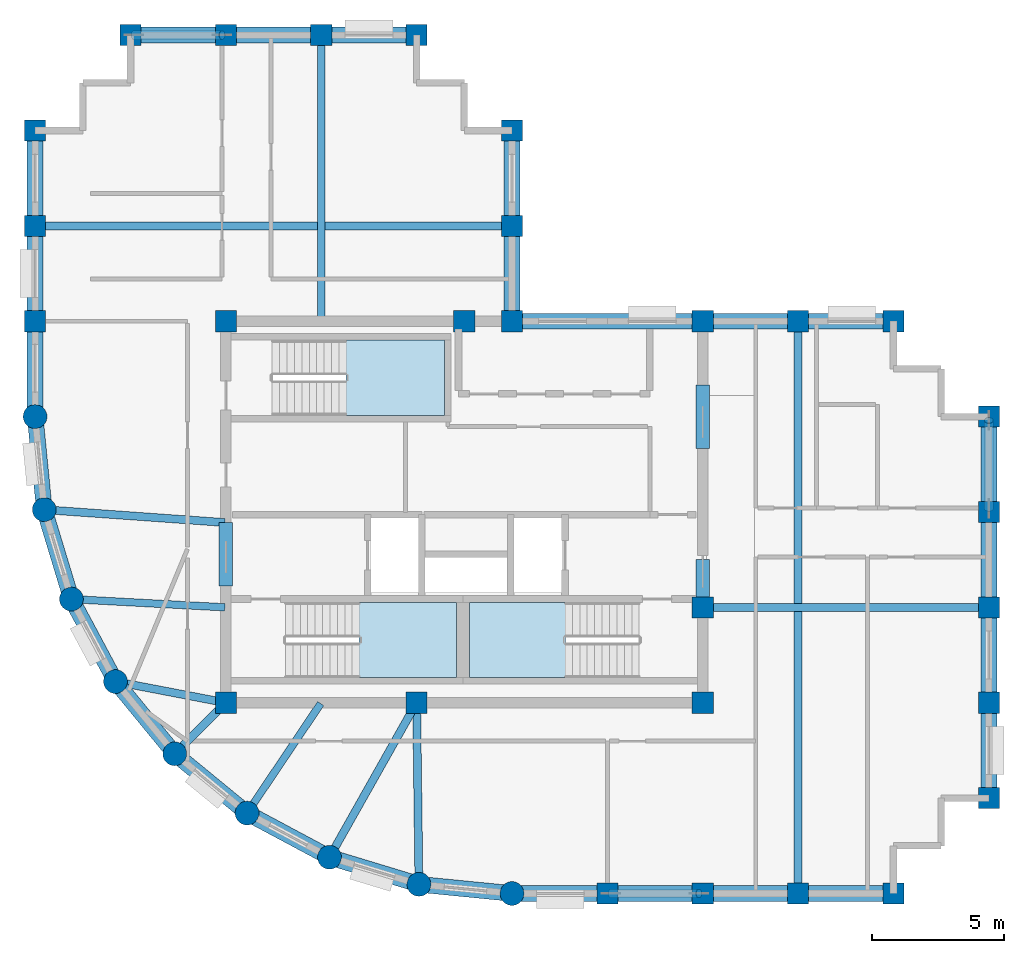
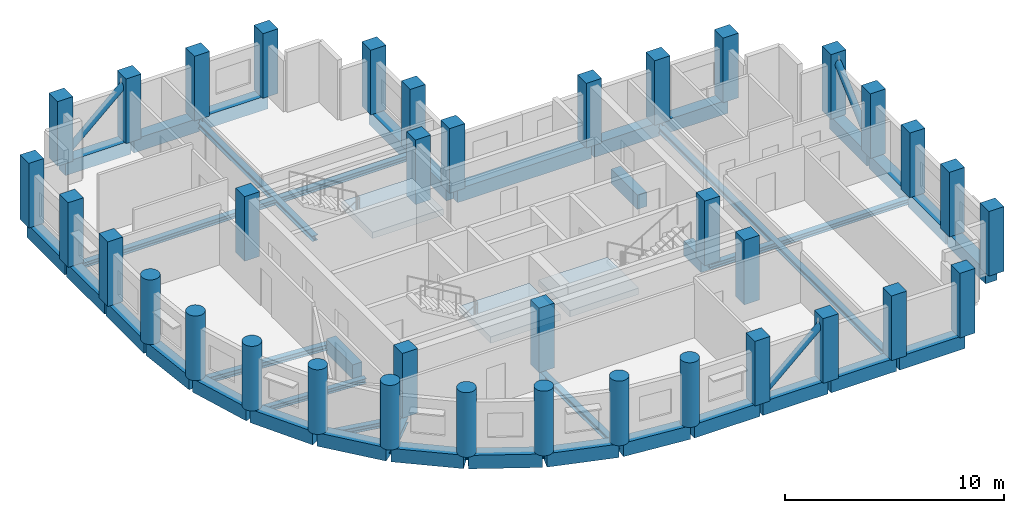
# One storey, part 1 of 7: 41 beams, 37 columns, 3 members, 3 slabs, 3 elements without a shape of their own.
"""IFC4 building model written with IfcOpenShell, lengths in metres."""

from ifc_helpers import new_model, si_unit, direction, frame, origin, origin_2d, place, context, subcontext, project, spatial, polyline, rectangle, circle, hollow_circle, i_section, outline, extrude, material, layer, layer_set, material_profile, profile_set, type_object, element, aggregate, save


model = new_model("IFC4")

# Units and contexts
model_context = context("Model", 3, precision=1e-05, world=origin(), true_north=direction((0.0, 1.0)))
body_context = subcontext(model_context, "Body", "Model", "MODEL_VIEW")
ifc_project = project(units=[si_unit("LENGTHUNIT", "METRE"), si_unit("AREAUNIT", "SQUARE_METRE"), si_unit("VOLUMEUNIT", "CUBIC_METRE"), si_unit("PLANEANGLEUNIT", "RADIAN"), si_unit("MASSUNIT", "GRAM", prefix="KILO")], contexts=[model_context])

# Site, building, storey
site_placement = place(None, origin())
site = spatial("IfcSite", under=ifc_project, at=site_placement, CompositionType="ELEMENT")
building_placement = place(site_placement, origin())
building = spatial("IfcBuilding", under=site, at=building_placement, Name="Solnavia Interchange Tower", CompositionType="ELEMENT")
storey_placement = place(building_placement, frame((0.0, 0.0, 259.39990234375)))
storey = spatial("IfcBuildingStorey", under=building, at=storey_placement, Name="L65", CompositionType="ELEMENT", Elevation=259.39990234375)

# Columns
ifc_material_1 = material(Name="Concrete C50/60", Category="concrete")
ifc_material_profile_1 = material_profile(ifc_material_1, rectangle(XDim=0.800048828125, YDim=0.800048828125, at=origin_2d()), Name="RC 800x800")
ifc_profile_set_1 = profile_set([ifc_material_profile_1], Name="Concrete C50/60")
column_type_1 = type_object("IfcColumnType", Name="Col-RC-800x800", PredefinedType="COLUMN", material=ifc_profile_set_1)
for number, where, z_axis, x_axis, name in (
    (1, (7.199951171875, 25.199951171875, 0.0), (0.0, 0.0, 1.0), (0.0, 1.0, 0.0), "COL-L65-02 Tower perim y column"),
    (2, (7.199951171875, 28.800048828125, 0.0), (0.0, 0.0, 1.0), (0.0, 1.0, 0.0), "COL-L65-03 Tower perim y column"),
    (3, (7.199951171875, 32.39990234375, 0.0), (0.0, 0.0, 1.0), (0.0, 1.0, 0.0), "COL-L65-04 Tower corner column"),
    (4, (10.800048828125, 36.0, 0.0), (0.0, 0.0, 1.0), (1.0, 0.0, 0.0), "COL-L65-08 Tower corner column"),
    (5, (14.39990234375, 10.800048828125, 0.0), (0.0, 0.0, 1.0), (1.0, 0.0, 0.0), "COL-L65-10 Tower interior column"),
    (6, (14.39990234375, 25.199951171875, 0.0), (0.0, 0.0, 1.0), (1.0, 0.0, 0.0), "COL-L65-11 Tower interior column"),
    (7, (14.39990234375, 36.0, 0.0), (0.0, 0.0, 1.0), (1.0, 0.0, 0.0), "COL-L65-12 Tower perim x column"),
    (8, (18.0, 36.0, 0.0), (0.0, 0.0, 1.0), (1.0, 0.0, 0.0), "COL-L65-14 Tower perim x column"),
    (9, (21.60009765625, 10.800048828125, 0.0), (0.0, 0.0, 1.0), (1.0, 0.0, 0.0), "COL-L65-16 Tower interior column"),
    (10, (21.60009765625, 36.0, 0.0), (0.0, 0.0, 1.0), (1.0, 0.0, 0.0), "COL-L65-17 Tower corner column"),
    (11, (23.39990234375, 25.199951171875, 0.0), (0.0, 0.0, 1.0), (1.0, 0.0, 0.0), "COL-L65-19 Tower interior column"),
    (12, (25.199951171875, 25.199951171875, 0.0), (0.0, 0.0, 1.0), (1.0, 0.0, 0.0), "COL-L65-21 Tower interior column"),
    (13, (25.199951171875, 28.800048828125, 0.0), (0.0, 0.0, 1.0), (0.0, 1.0, 0.0), "COL-L65-22 Tower perim y column"),
    (14, (25.199951171875, 32.39990234375, 0.0), (0.0, 0.0, 1.0), (0.0, 1.0, 0.0), "COL-L65-23 Tower corner column"),
    (15, (28.800048828125, 3.60009765625, 0.0), (0.0, 0.0, 1.0), (1.0, 0.0, 0.0), "COL-L65-24 Tower perim x column"),
    (16, (32.39990234375, 3.60009765625, 0.0), (0.0, 0.0, 1.0), (1.0, 0.0, 0.0), "COL-L65-25 Tower perim x column"),
    (17, (32.39990234375, 10.800048828125, 0.0), (0.0, 0.0, 1.0), (1.0, 0.0, 0.0), "COL-L65-26 Tower interior column"),
    (18, (32.39990234375, 14.39990234375, 0.0), (0.0, 0.0, 1.0), (1.0, 0.0, 0.0), "COL-L65-27 Tower interior column"),
    (19, (32.39990234375, 25.199951171875, 0.0), (0.0, 0.0, 1.0), (1.0, 0.0, 0.0), "COL-L65-28 Tower interior column"),
    (20, (36.0, 3.60009765625, 0.0), (0.0, 0.0, 1.0), (1.0, 0.0, 0.0), "COL-L65-29 Tower perim x column"),
    (21, (36.0, 25.199951171875, 0.0), (0.0, 0.0, 1.0), (1.0, 0.0, 0.0), "COL-L65-30 Tower perim x column"),
    (22, (39.60009765625, 3.60009765625, 0.0), (0.0, 0.0, 1.0), (1.0, 0.0, 0.0), "COL-L65-31 Tower corner column"),
    (23, (39.60009765625, 25.199951171875, 0.0), (0.0, 0.0, 1.0), (1.0, 0.0, 0.0), "COL-L65-32 Tower corner column"),
    (24, (43.199951171875, 7.199951171875, 0.0), (0.0, 0.0, 1.0), (1.0, 0.0, 0.0), "COL-L65-33 Tower corner column"),
    (25, (43.199951171875, 10.800048828125, 0.0), (0.0, 0.0, 1.0), (0.0, 1.0, 0.0), "COL-L65-34 Tower perim y column"),
    (26, (43.199951171875, 14.39990234375, 0.0), (0.0, 0.0, 1.0), (0.0, 1.0, 0.0), "COL-L65-35 Tower perim y column"),
    (27, (43.199951171875, 18.0, 0.0), (0.0, 0.0, 1.0), (0.0, 1.0, 0.0), "COL-L65-36 Tower perim y column"),
    (28, (43.199951171875, 21.60009765625, 0.0), (0.0, 0.0, 1.0), (0.0, 1.0, 0.0), "COL-L65-37 Tower corner column"),
):
    element("IfcColumn", number, at=place(storey_placement, frame(where, z_axis=z_axis, x_axis=x_axis)), inside=storey, type_object=column_type_1, Name=name, PredefinedType="COLUMN", context=body_context, shape_type="SweptSolid", body=[
        extrude(rectangle(XDim=0.800048828125, YDim=0.800048828125, at=origin_2d()), origin(), (0.0, 0.0, 1.0), 3.60009765625),
    ])
ifc_material_profile_2 = material_profile(ifc_material_1, circle(Radius=0.449951171875, at=origin_2d()), Name="RC D900")
ifc_profile_set_2 = profile_set([ifc_material_profile_2], Name="Concrete C50/60")
column_type_2 = type_object("IfcColumnType", Name="Col-RC-D900", PredefinedType="COLUMN", material=ifc_profile_set_2)
for number, where, z_axis, x_axis, name in (
    (29, (7.199951171875, 21.60009765625, 0.0), (0.0, 0.0, 1.0), (1.0, 0.0, 0.0), "COL-L65-01 Tower drum column"),
    (30, (7.5458984375, 18.087890625, 0.0), (0.0, 0.0, 1.0), (1.0, 0.0, 0.0), "COL-L65-05 Tower drum column"),
    (31, (8.570068359375, 14.7119140625, 0.0), (0.0, 0.0, 1.0), (1.0, 0.0, 0.0), "COL-L65-06 Tower drum column"),
    (32, (10.23388671875, 11.60009765625, 0.0), (0.0, 0.0, 1.0), (1.0, 0.0, 0.0), "COL-L65-07 Tower drum column"),
    (33, (12.471923828125, 8.8720703125, 0.0), (0.0, 0.0, 1.0), (1.0, 0.0, 0.0), "COL-L65-09 Tower drum column"),
    (34, (15.199951171875, 6.634033203125, 0.0), (0.0, 0.0, 1.0), (1.0, 0.0, 0.0), "COL-L65-13 Tower drum column"),
    (35, (18.31201171875, 4.969970703125, 0.0), (0.0, 0.0, 1.0), (1.0, 0.0, 0.0), "COL-L65-15 Tower drum column"),
    (36, (21.68798828125, 3.946044921875, 0.0), (0.0, 0.0, 1.0), (1.0, 0.0, 0.0), "COL-L65-18 Tower drum column"),
    (37, (25.199951171875, 3.60009765625, 0.0), (0.0, 0.0, 1.0), (1.0, 0.0, 0.0), "COL-L65-20 Tower drum column"),
):
    element("IfcColumn", number, at=place(storey_placement, frame(where, z_axis=z_axis, x_axis=x_axis)), inside=storey, type_object=column_type_2, Name=name, PredefinedType="COLUMN", context=body_context, shape_type="SweptSolid", body=[
        extrude(circle(Radius=0.449951171875, at=origin_2d()), origin(), (0.0, 0.0, 1.0), 3.60009765625),
    ])

# Beams
ifc_material_profile_3 = material_profile(ifc_material_1, rectangle(XDim=0.5, YDim=0.800048828125, at=origin_2d()), Name="RC 500x800")
ifc_profile_set_3 = profile_set([ifc_material_profile_3], Name="Concrete C50/60")
beam_type_1 = type_object("IfcBeamType", Name="Beam-Coupling-RC500x800", PredefinedType="LINTEL", material=ifc_profile_set_3)
beam_1_placement = place(storey_placement, frame((14.39990234375, 15.199951171875, -0.39990234375), z_axis=(0.0, 1.0, 0.0), x_axis=(-1.0, 0.0, 0.0)))
element("IfcBeam", 38, at=beam_1_placement, inside=storey, type_object=beam_type_1, Name="CPB-L65-W1 Core coupling lintel beam", PredefinedType="LINTEL", context=body_context, shape_type="SweptSolid", body=[
    extrude(rectangle(XDim=0.5, YDim=0.800048828125, at=origin_2d()), origin(), (0.0, 0.0, 1.0), 2.400146484375),
])
beam_2_placement = place(storey_placement, frame((32.39990234375, 14.60009765625, -0.39990234375), z_axis=(0.0, 1.0, 0.0), x_axis=(-1.0, 0.0, 0.0)))
element("IfcBeam", 39, at=beam_2_placement, inside=storey, type_object=beam_type_1, Name="CPB-L65-E1 Core coupling lintel beam", PredefinedType="LINTEL", context=body_context, shape_type="SweptSolid", body=[
    extrude(rectangle(XDim=0.5, YDim=0.800048828125, at=origin_2d()), origin(), (0.0, 0.0, 1.0), 1.599853515625),
])
beam_3_placement = place(storey_placement, frame((32.39990234375, 20.39990234375, -0.39990234375), z_axis=(0.0, 1.0, 0.0), x_axis=(-1.0, 0.0, 0.0)))
element("IfcBeam", 40, at=beam_3_placement, inside=storey, type_object=beam_type_1, Name="CPB-L65-E2 Core coupling lintel beam", PredefinedType="LINTEL", context=body_context, shape_type="SweptSolid", body=[
    extrude(rectangle(XDim=0.5, YDim=0.800048828125, at=origin_2d()), origin(), (0.0, 0.0, 1.0), 2.400146484375),
])
ifc_material_2 = material(Name="Steel S460", Category="steel")
ifc_material_profile_4 = material_profile(ifc_material_2, i_section(OverallWidth=0.300048828125, OverallDepth=0.300048828125, WebThickness=0.010986328125, FlangeThickness=0.01904296875, FilletRadius=0.027099609375, at=origin_2d()), Name="HEB 300")
ifc_profile_set_4 = profile_set([ifc_material_profile_4], Name="Steel S460")
beam_type_2 = type_object("IfcBeamType", Name="Beam-Girder-HEB300", PredefinedType="BEAM", material=ifc_profile_set_4)
beam_4_placement = place(storey_placement, frame((32.47998046875, 14.39990234375, -0.39990234375), z_axis=(1.0, 0.0, 0.0), x_axis=(0.0, 1.0, 0.0)))
element("IfcBeam", 41, at=beam_4_placement, inside=storey, type_object=beam_type_2, Name="GRD-L65-ES01 East wing spine girder", PredefinedType="BEAM", context=body_context, shape_type="SweptSolid", body=[
    extrude(i_section(OverallWidth=0.300048828125, OverallDepth=0.300048828125, WebThickness=0.010986328125, FlangeThickness=0.01904296875, FilletRadius=0.027099609375, at=origin_2d()), origin(), (0.0, 0.0, 1.0), 10.64013671875),
])
beam_5_placement = place(storey_placement, frame((18.0, 25.280029296875, -0.39990234375), z_axis=(0.0, 1.0, 0.0), x_axis=(-1.0, 0.0, 0.0)))
element("IfcBeam", 42, at=beam_5_placement, inside=storey, type_object=beam_type_2, Name="GRD-L65-NS03 North wing spine girder", PredefinedType="BEAM", context=body_context, shape_type="SweptSolid", body=[
    extrude(i_section(OverallWidth=0.300048828125, OverallDepth=0.300048828125, WebThickness=0.010986328125, FlangeThickness=0.01904296875, FilletRadius=0.027099609375, at=origin_2d()), origin(), (0.0, 0.0, 1.0), 10.639892578125),
])
beam_6_placement = place(storey_placement, frame((7.280029296875, 28.800048828125, -0.39990234375), z_axis=(1.0, 0.0, 0.0), x_axis=(0.0, 1.0, 0.0)))
element("IfcBeam", 43, at=beam_6_placement, inside=storey, type_object=beam_type_2, Name="GRD-L65-NW04 North wing primary floor girder", PredefinedType="BEAM", context=body_context, shape_type="SweptSolid", body=[
    extrude(i_section(OverallWidth=0.300048828125, OverallDepth=0.300048828125, WebThickness=0.010986328125, FlangeThickness=0.01904296875, FilletRadius=0.027099609375, at=origin_2d()), origin(), (0.0, 0.0, 1.0), 17.840087890625),
])
beam_7_placement = place(storey_placement, frame((10.3125, 11.5849609375, -0.39990234375), z_axis=(0.982057527796, -0.188581579428, 0.0), x_axis=(0.188581579428, 0.982057527796, 0.0)))
element("IfcBeam", 44, at=beam_7_placement, inside=storey, type_object=beam_type_2, Name="GRD-L65-DR07 Drum radial floor girder", PredefinedType="BEAM", context=body_context, shape_type="SweptSolid", body=[
    extrude(i_section(OverallWidth=0.300048828125, OverallDepth=0.300048828125, WebThickness=0.010986328125, FlangeThickness=0.01904296875, FilletRadius=0.027099609375, at=origin_2d()), origin(), (0.0, 0.0, 1.0), 4.1220703125),
])
beam_8_placement = place(storey_placement, frame((18.351318359375, 5.039794921875, -0.39990234375), z_axis=(0.491243158486, 0.871022479182, 0.0), x_axis=(-0.871022479182, 0.491243158486, 0.0)))
element("IfcBeam", 45, at=beam_8_placement, inside=storey, type_object=beam_type_2, Name="GRD-L65-DR10 Drum radial floor girder", PredefinedType="BEAM", context=body_context, shape_type="SweptSolid", body=[
    extrude(i_section(OverallWidth=0.300048828125, OverallDepth=0.300048828125, WebThickness=0.010986328125, FlangeThickness=0.01904296875, FilletRadius=0.027099609375, at=origin_2d()), origin(), (0.0, 0.0, 1.0), 6.5732421875),
])
ifc_material_3 = material(Name="Steel S355", Category="steel")
ifc_material_profile_5 = material_profile(ifc_material_3, i_section(OverallWidth=0.280029296875, OverallDepth=0.27001953125, WebThickness=0.008056640625, FlangeThickness=0.012939453125, FilletRadius=0.02392578125, at=origin_2d()), Name="HEA 280")
ifc_profile_set_5 = profile_set([ifc_material_profile_5], Name="Steel S355")
beam_type_3 = type_object("IfcBeamType", Name="Beam-Primary-HEA280", PredefinedType="BEAM", material=ifc_profile_set_5)
beam_9_placement = place(storey_placement, frame((8.64990234375, 14.707763671875, -0.385009765625), z_axis=(0.998570371303, -0.053452909696, 0.0), x_axis=(0.053452909696, 0.998570371303, 0.0)))
element("IfcBeam", 46, at=beam_9_placement, inside=storey, type_object=beam_type_3, Name="GRD-L65-DR06 Drum radial floor girder", PredefinedType="BEAM", context=body_context, shape_type="SweptSolid", body=[
    extrude(i_section(OverallWidth=0.280029296875, OverallDepth=0.27001953125, WebThickness=0.008056640625, FlangeThickness=0.012939453125, FilletRadius=0.02392578125, at=origin_2d()), origin(), (0.0, 0.0, 1.0), 5.71826171875),
])
beam_10_placement = place(storey_placement, frame((15.24462890625, 6.700439453125, -0.385009765625), z_axis=(0.557835474219, 0.829951555033, 0.0), x_axis=(-0.829951555033, 0.557835474219, 0.0)))
element("IfcBeam", 47, at=beam_10_placement, inside=storey, type_object=beam_type_3, Name="GRD-L65-DR09 Drum radial floor girder", PredefinedType="BEAM", context=body_context, shape_type="SweptSolid", body=[
    extrude(i_section(OverallWidth=0.280029296875, OverallDepth=0.27001953125, WebThickness=0.008056640625, FlangeThickness=0.012939453125, FilletRadius=0.02392578125, at=origin_2d()), origin(), (0.0, 0.0, 1.0), 4.899658203125),
])
ifc_material_profile_6 = material_profile(ifc_material_3, i_section(OverallWidth=0.300048828125, OverallDepth=0.31005859375, WebThickness=0.009033203125, FlangeThickness=0.015380859375, FilletRadius=0.027099609375, at=origin_2d()), Name="HEA 320")
ifc_profile_set_6 = profile_set([ifc_material_profile_6], Name="Steel S355")
beam_type_4 = type_object("IfcBeamType", Name="Beam-Primary-HEA320", PredefinedType="BEAM", material=ifc_profile_set_6)
beam_11_placement = place(storey_placement, frame((36.0, 3.679931640625, -0.40478515625), z_axis=(0.0, 1.0, 0.0), x_axis=(-1.0, 0.0, 0.0)))
element("IfcBeam", 48, at=beam_11_placement, inside=storey, type_object=beam_type_4, Name="GRD-L65-EW02 East wing primary floor girder", PredefinedType="BEAM", context=body_context, shape_type="SweptSolid", body=[
    extrude(i_section(OverallWidth=0.300048828125, OverallDepth=0.31005859375, WebThickness=0.009033203125, FlangeThickness=0.015380859375, FilletRadius=0.027099609375, at=origin_2d()), origin(), (0.0, 0.0, 1.0), 21.440185546875),
])
beam_12_placement = place(storey_placement, frame((7.625732421875, 18.082275390625, -0.40478515625), z_axis=(0.99747482749, -0.071020902015, 0.0), x_axis=(0.071020902015, 0.99747482749, 0.0)))
element("IfcBeam", 49, at=beam_12_placement, inside=storey, type_object=beam_type_4, Name="GRD-L65-DR05 Drum radial floor girder", PredefinedType="BEAM", context=body_context, shape_type="SweptSolid", body=[
    extrude(i_section(OverallWidth=0.300048828125, OverallDepth=0.31005859375, WebThickness=0.009033203125, FlangeThickness=0.015380859375, FilletRadius=0.027099609375, at=origin_2d()), origin(), (0.0, 0.0, 1.0), 6.75146484375),
])
beam_13_placement = place(storey_placement, frame((12.528564453125, 8.9287109375, -0.40478515625), z_axis=(0.707106781187, 0.707106781187, 0.0), x_axis=(-0.707106781187, 0.707106781187, 0.0)))
element("IfcBeam", 50, at=beam_13_placement, inside=storey, type_object=beam_type_4, Name="GRD-L65-DR08 Drum radial floor girder", PredefinedType="BEAM", context=body_context, shape_type="SweptSolid", body=[
    extrude(i_section(OverallWidth=0.300048828125, OverallDepth=0.31005859375, WebThickness=0.009033203125, FlangeThickness=0.015380859375, FilletRadius=0.027099609375, at=origin_2d()), origin(), (0.0, 0.0, 1.0), 2.6064453125),
])
beam_14_placement = place(storey_placement, frame((21.68701171875, 4.02587890625, -0.40478515625), z_axis=(-0.01283293513, 0.999917654498, 0.0), x_axis=(-0.999917654498, -0.01283293513, 0.0)))
element("IfcBeam", 51, at=beam_14_placement, inside=storey, type_object=beam_type_4, Name="GRD-L65-DR11 Drum radial floor girder", PredefinedType="BEAM", context=body_context, shape_type="SweptSolid", body=[
    extrude(i_section(OverallWidth=0.300048828125, OverallDepth=0.31005859375, WebThickness=0.009033203125, FlangeThickness=0.015380859375, FilletRadius=0.027099609375, at=origin_2d()), origin(), (0.0, 0.0, 1.0), 6.734619140625),
])
ifc_material_profile_7 = material_profile(ifc_material_1, rectangle(XDim=0.60009765625, YDim=0.75, at=origin_2d()), Name="RC 600x750")
ifc_profile_set_7 = profile_set([ifc_material_profile_7], Name="Concrete C50/60")
beam_type_5 = type_object("IfcBeamType", Name="Beam-Spandrel-RC600x750", PredefinedType="SPANDREL", material=ifc_profile_set_7)
beam_15_placement = place(storey_placement, frame((7.207763671875, 21.5205078125, -0.375), z_axis=(0.098040038117, -0.995182471171, 0.0), x_axis=(0.995182471171, 0.098040038117, 0.0)))
element("IfcBeam", 52, at=beam_15_placement, inside=storey, type_object=beam_type_5, Name="SPB-L65-01 Framed-tube perimeter spandrel beam", PredefinedType="SPANDREL", context=body_context, shape_type="SweptSolid", body=[
    extrude(rectangle(XDim=0.60009765625, YDim=0.75, at=origin_2d()), origin(), (0.0, 0.0, 1.0), 3.369140625),
])
beam_16_placement = place(storey_placement, frame((7.569091796875, 18.011474609375, -0.375), z_axis=(0.290319223646, -0.956929855518, 0.0), x_axis=(0.956929855518, 0.290319223646, 0.0)))
element("IfcBeam", 53, at=beam_16_placement, inside=storey, type_object=beam_type_5, Name="SPB-L65-02 Framed-tube perimeter spandrel beam", PredefinedType="SPANDREL", context=body_context, shape_type="SweptSolid", body=[
    extrude(rectangle(XDim=0.60009765625, YDim=0.75, at=origin_2d()), origin(), (0.0, 0.0, 1.0), 3.367919921875),
])
beam_17_placement = place(storey_placement, frame((8.607666015625, 14.6416015625, -0.375), z_axis=(0.471509422952, -0.881861023102, 0.0), x_axis=(0.881861023102, 0.471509422952, 0.0)))
element("IfcBeam", 54, at=beam_17_placement, inside=storey, type_object=beam_type_5, Name="SPB-L65-03 Framed-tube perimeter spandrel beam", PredefinedType="SPANDREL", context=body_context, shape_type="SweptSolid", body=[
    extrude(rectangle(XDim=0.60009765625, YDim=0.75, at=origin_2d()), origin(), (0.0, 0.0, 1.0), 3.369140625),
])
for number, where, z_axis, x_axis, name in (
    (55, (10.28466796875, 11.5380859375, -0.375), (0.634298841675, -0.773087950656, 0.0), (0.773087950656, 0.634298841675, 0.0), "SPB-L65-04 Framed-tube perimeter spandrel beam"),
    (56, (12.53369140625, 8.8212890625, -0.375), (0.773152644452, -0.634219984214, 0.0), (0.634219984214, 0.773152644452, 0.0), "SPB-L65-05 Framed-tube perimeter spandrel beam"),
):
    element("IfcBeam", number, at=place(storey_placement, frame(where, z_axis=z_axis, x_axis=x_axis)), inside=storey, type_object=beam_type_5, Name=name, PredefinedType="SPANDREL", context=body_context, shape_type="SweptSolid", body=[
        extrude(rectangle(XDim=0.60009765625, YDim=0.75, at=origin_2d()), origin(), (0.0, 0.0, 1.0), 3.36865234375),
    ])
beam_18_placement = place(storey_placement, frame((15.2705078125, 6.59619140625, -0.375), z_axis=(0.881875044348, -0.47148319817, 0.0), x_axis=(0.47148319817, 0.881875044348, 0.0)))
element("IfcBeam", 57, at=beam_18_placement, inside=storey, type_object=beam_type_5, Name="SPB-L65-06 Framed-tube perimeter spandrel beam", PredefinedType="SPANDREL", context=body_context, shape_type="SweptSolid", body=[
    extrude(rectangle(XDim=0.60009765625, YDim=0.75, at=origin_2d()), origin(), (0.0, 0.0, 1.0), 3.368896484375),
])
beam_19_placement = place(storey_placement, frame((18.388671875, 4.94677734375, -0.375), z_axis=(0.956943884494, -0.290272978297, 0.0), x_axis=(0.290272978297, 0.956943884494, 0.0)))
element("IfcBeam", 58, at=beam_19_placement, inside=storey, type_object=beam_type_5, Name="SPB-L65-07 Framed-tube perimeter spandrel beam", PredefinedType="SPANDREL", context=body_context, shape_type="SweptSolid", body=[
    extrude(rectangle(XDim=0.60009765625, YDim=0.75, at=origin_2d()), origin(), (0.0, 0.0, 1.0), 3.36767578125),
])
beam_20_placement = place(storey_placement, frame((21.767578125, 3.938232421875, -0.375), z_axis=(0.995181774609, -0.098047108501, 0.0), x_axis=(0.098047108501, 0.995181774609, 0.0)))
element("IfcBeam", 59, at=beam_20_placement, inside=storey, type_object=beam_type_5, Name="SPB-L65-08 Framed-tube perimeter spandrel beam", PredefinedType="SPANDREL", context=body_context, shape_type="SweptSolid", body=[
    extrude(rectangle(XDim=0.60009765625, YDim=0.75, at=origin_2d()), origin(), (0.0, 0.0, 1.0), 3.368896484375),
])
beam_21_placement = place(storey_placement, frame((25.280029296875, 3.60009765625, -0.375), z_axis=(1.0, 0.0, 0.0), x_axis=(0.0, 1.0, 0.0)))
element("IfcBeam", 60, at=beam_21_placement, inside=storey, type_object=beam_type_5, Name="SPB-L65-09 Framed-tube perimeter spandrel beam", PredefinedType="SPANDREL", context=body_context, shape_type="SweptSolid", body=[
    extrude(rectangle(XDim=0.60009765625, YDim=0.75, at=origin_2d()), origin(), (0.0, 0.0, 1.0), 3.43994140625),
])
beam_22_placement = place(storey_placement, frame((28.8798828125, 3.60009765625, -0.375), z_axis=(1.0, 0.0, 0.0), x_axis=(0.0, 1.0, 0.0)))
element("IfcBeam", 61, at=beam_22_placement, inside=storey, type_object=beam_type_5, Name="SPB-L65-10 Framed-tube perimeter spandrel beam", PredefinedType="SPANDREL", context=body_context, shape_type="SweptSolid", body=[
    extrude(rectangle(XDim=0.60009765625, YDim=0.75, at=origin_2d()), origin(), (0.0, 0.0, 1.0), 3.440185546875),
])
for number, where, z_axis, x_axis, name in (
    (62, (32.47998046875, 3.60009765625, -0.375), (1.0, 0.0, 0.0), (0.0, 1.0, 0.0), "SPB-L65-11 Framed-tube perimeter spandrel beam"),
    (63, (36.080078125, 3.60009765625, -0.375), (1.0, 0.0, 0.0), (0.0, 1.0, 0.0), "SPB-L65-12 Framed-tube perimeter spandrel beam"),
    (64, (43.199951171875, 7.280029296875, -0.375), (0.0, 1.0, 0.0), (-1.0, 0.0, 0.0), "SPB-L65-13 Framed-tube perimeter spandrel beam"),
):
    element("IfcBeam", number, at=place(storey_placement, frame(where, z_axis=z_axis, x_axis=x_axis)), inside=storey, type_object=beam_type_5, Name=name, PredefinedType="SPANDREL", context=body_context, shape_type="SweptSolid", body=[
        extrude(rectangle(XDim=0.60009765625, YDim=0.75, at=origin_2d()), origin(), (0.0, 0.0, 1.0), 3.43994140625),
    ])
beam_23_placement = place(storey_placement, frame((43.199951171875, 10.8798828125, -0.375), z_axis=(0.0, 1.0, 0.0), x_axis=(-1.0, 0.0, 0.0)))
element("IfcBeam", 65, at=beam_23_placement, inside=storey, type_object=beam_type_5, Name="SPB-L65-14 Framed-tube perimeter spandrel beam", PredefinedType="SPANDREL", context=body_context, shape_type="SweptSolid", body=[
    extrude(rectangle(XDim=0.60009765625, YDim=0.75, at=origin_2d()), origin(), (0.0, 0.0, 1.0), 3.440185546875),
])
for number, where, z_axis, x_axis, name in (
    (66, (43.199951171875, 14.47998046875, -0.375), (0.0, 1.0, 0.0), (-1.0, 0.0, 0.0), "SPB-L65-15 Framed-tube perimeter spandrel beam"),
    (67, (43.199951171875, 18.080078125, -0.375), (0.0, 1.0, 0.0), (-1.0, 0.0, 0.0), "SPB-L65-16 Framed-tube perimeter spandrel beam"),
    (68, (39.52001953125, 25.199951171875, -0.375), (-1.0, 0.0, 0.0), (0.0, -1.0, 0.0), "SPB-L65-17 Framed-tube perimeter spandrel beam"),
    (69, (35.919921875, 25.199951171875, -0.375), (-1.0, 0.0, 0.0), (0.0, -1.0, 0.0), "SPB-L65-18 Framed-tube perimeter spandrel beam"),
):
    element("IfcBeam", number, at=place(storey_placement, frame(where, z_axis=z_axis, x_axis=x_axis)), inside=storey, type_object=beam_type_5, Name=name, PredefinedType="SPANDREL", context=body_context, shape_type="SweptSolid", body=[
        extrude(rectangle(XDim=0.60009765625, YDim=0.75, at=origin_2d()), origin(), (0.0, 0.0, 1.0), 3.43994140625),
    ])
beam_24_placement = place(storey_placement, frame((32.320068359375, 25.199951171875, -0.375), z_axis=(-1.0, 0.0, 0.0), x_axis=(0.0, -1.0, 0.0)))
element("IfcBeam", 70, at=beam_24_placement, inside=storey, type_object=beam_type_5, Name="SPB-L65-19 Framed-tube perimeter spandrel beam", PredefinedType="SPANDREL", context=body_context, shape_type="SweptSolid", body=[
    extrude(rectangle(XDim=0.60009765625, YDim=0.75, at=origin_2d()), origin(), (0.0, 0.0, 1.0), 7.0400390625),
])
beam_25_placement = place(storey_placement, frame((25.199951171875, 25.280029296875, -0.375), z_axis=(0.0, 1.0, 0.0), x_axis=(-1.0, 0.0, 0.0)))
element("IfcBeam", 71, at=beam_25_placement, inside=storey, type_object=beam_type_5, Name="SPB-L65-20 Framed-tube perimeter spandrel beam", PredefinedType="SPANDREL", context=body_context, shape_type="SweptSolid", body=[
    extrude(rectangle(XDim=0.60009765625, YDim=0.75, at=origin_2d()), origin(), (0.0, 0.0, 1.0), 3.43994140625),
])
beam_26_placement = place(storey_placement, frame((25.199951171875, 28.8798828125, -0.375), z_axis=(0.0, 1.0, 0.0), x_axis=(-1.0, 0.0, 0.0)))
element("IfcBeam", 72, at=beam_26_placement, inside=storey, type_object=beam_type_5, Name="SPB-L65-21 Framed-tube perimeter spandrel beam", PredefinedType="SPANDREL", context=body_context, shape_type="SweptSolid", body=[
    extrude(rectangle(XDim=0.60009765625, YDim=0.75, at=origin_2d()), origin(), (0.0, 0.0, 1.0), 3.440185546875),
])
for number, where, z_axis, x_axis, name in (
    (73, (21.52001953125, 36.0, -0.375), (-1.0, 0.0, 0.0), (0.0, -1.0, 0.0), "SPB-L65-22 Framed-tube perimeter spandrel beam"),
    (74, (17.919921875, 36.0, -0.375), (-1.0, 0.0, 0.0), (0.0, -1.0, 0.0), "SPB-L65-23 Framed-tube perimeter spandrel beam"),
):
    element("IfcBeam", number, at=place(storey_placement, frame(where, z_axis=z_axis, x_axis=x_axis)), inside=storey, type_object=beam_type_5, Name=name, PredefinedType="SPANDREL", context=body_context, shape_type="SweptSolid", body=[
        extrude(rectangle(XDim=0.60009765625, YDim=0.75, at=origin_2d()), origin(), (0.0, 0.0, 1.0), 3.43994140625),
    ])
for number, where, z_axis, x_axis, name in (
    (75, (14.320068359375, 36.0, -0.375), (-1.0, 0.0, 0.0), (0.0, -1.0, 0.0), "SPB-L65-24 Framed-tube perimeter spandrel beam"),
    (76, (7.199951171875, 32.320068359375, -0.375), (0.0, -1.0, 0.0), (1.0, 0.0, 0.0), "SPB-L65-25 Framed-tube perimeter spandrel beam"),
):
    element("IfcBeam", number, at=place(storey_placement, frame(where, z_axis=z_axis, x_axis=x_axis)), inside=storey, type_object=beam_type_5, Name=name, PredefinedType="SPANDREL", context=body_context, shape_type="SweptSolid", body=[
        extrude(rectangle(XDim=0.60009765625, YDim=0.75, at=origin_2d()), origin(), (0.0, 0.0, 1.0), 3.440185546875),
    ])
beam_27_placement = place(storey_placement, frame((7.199951171875, 28.719970703125, -0.375), z_axis=(0.0, -1.0, 0.0), x_axis=(1.0, 0.0, 0.0)))
element("IfcBeam", 77, at=beam_27_placement, inside=storey, type_object=beam_type_5, Name="SPB-L65-26 Framed-tube perimeter spandrel beam", PredefinedType="SPANDREL", context=body_context, shape_type="SweptSolid", body=[
    extrude(rectangle(XDim=0.60009765625, YDim=0.75, at=origin_2d()), origin(), (0.0, 0.0, 1.0), 3.43994140625),
])
beam_28_placement = place(storey_placement, frame((7.199951171875, 25.1201171875, -0.375), z_axis=(0.0, -1.0, 0.0), x_axis=(1.0, 0.0, 0.0)))
element("IfcBeam", 78, at=beam_28_placement, inside=storey, type_object=beam_type_5, Name="SPB-L65-27 Framed-tube perimeter spandrel beam", PredefinedType="SPANDREL", context=body_context, shape_type="SweptSolid", body=[
    extrude(rectangle(XDim=0.60009765625, YDim=0.75, at=origin_2d()), origin(), (0.0, 0.0, 1.0), 3.440185546875),
])

# Members
ifc_material_profile_8 = material_profile(ifc_material_2, hollow_circle(Radius=0.177734375, WallThickness=0.01611328125, at=origin_2d()), Name="CHS 355.6x16")
ifc_profile_set_8 = profile_set([ifc_material_profile_8], Name="Steel S460")
member_type = type_object("IfcMemberType", Name="Brace-Perim-CHS355", PredefinedType="BRACE", material=ifc_profile_set_8)
for number, where, z_axis, x_axis, name in (
    (79, (28.93994140625, 3.60009765625, 0.18017578125), (0.74307946371, 0.0, 0.669203190827), (0.0, 1.0, 0.0), "BRC-L65-01 Perimeter tube diagonal brace"),
    (80, (43.199951171875, 18.139892578125, 0.18017578125), (0.0, 0.74307946371, 0.669203190827), (-1.0, 0.0, 0.0), "BRC-L65-02 Perimeter tube diagonal brace"),
    (81, (10.93994140625, 36.0, 0.18017578125), (0.74307946371, 0.0, 0.669203190827), (0.0, 1.0, 0.0), "BRC-L65-03 Perimeter tube diagonal brace"),
):
    element("IfcMember", number, at=place(storey_placement, frame(where, z_axis=z_axis, x_axis=x_axis)), inside=storey, type_object=member_type, Name=name, PredefinedType="BRACE", context=body_context, shape_type="SweptSolid", body=[
        extrude(hollow_circle(Radius=0.177734375, WallThickness=0.01611328125, at=origin_2d()), origin(), (0.0, 0.0, 1.0), 4.468017578125),
    ])

# Stair, slab
ifc_material_4 = material(Name="Concrete C40/50", Category="concrete")
stair_type = type_object("IfcStairType", Name="Stair-Dogleg-RC", PredefinedType="HALF_TURN_STAIR", material=ifc_material_4)
stair_1_placement = place(storey_placement, origin())
stair_1 = element("IfcStair", 82, at=stair_1_placement, inside=storey, type_object=stair_type, Name="L65 Core exit stair 1", PredefinedType="HALF_TURN_STAIR")
ifc_layer = layer(ifc_material_4, 0.35009765625)
ifc_layer_set = layer_set([ifc_layer], Name="Concrete C40/50")
slab_type = type_object("IfcSlabType", Name="Slab-StairLanding-350", PredefinedType="LANDING", material=ifc_layer_set)
slab_1_placement = place(storey_placement, frame((0.0, 0.0, 1.4501953125)))
slab_1 = element("IfcSlab", 83, at=slab_1_placement, type_object=slab_type, Name="ST-1 landing 1", PredefinedType="LANDING", context=body_context, shape_type="SweptSolid", body=[
    extrude(outline(polyline([(19.427978515625, 11.75), (23.10009765625, 11.75), (23.10009765625, 14.590087890625), (19.427978515625, 14.590087890625), (19.427978515625, 11.75)])), origin(), (0.0, 0.0, 1.0), 0.349853515625),
])
aggregate(stair_1, [slab_1])

stair_2_placement = place(storey_placement, origin())
stair_2 = element("IfcStair", 84, at=stair_2_placement, inside=storey, type_object=stair_type, Name="L65 Core exit stair 2", PredefinedType="HALF_TURN_STAIR")
slab_2_placement = place(storey_placement, frame((0.0, 0.0, 1.4501953125)))
slab_2 = element("IfcSlab", 85, at=slab_2_placement, type_object=slab_type, Name="ST-2 landing 1", PredefinedType="LANDING", context=body_context, shape_type="SweptSolid", body=[
    extrude(outline(polyline([(23.60009765625, 11.75), (27.221923828125, 11.75), (27.221923828125, 14.590087890625), (23.60009765625, 14.590087890625), (23.60009765625, 11.75)])), origin(), (0.0, 0.0, 1.0), 0.349853515625),
])
aggregate(stair_2, [slab_2])

stair_3_placement = place(storey_placement, origin())
stair_3 = element("IfcStair", 86, at=stair_3_placement, inside=storey, type_object=stair_type, Name="L65 Core exit stair 3", PredefinedType="HALF_TURN_STAIR")
slab_3_placement = place(storey_placement, frame((0.0, 0.0, 1.4501953125)))
slab_3 = element("IfcSlab", 87, at=slab_3_placement, type_object=slab_type, Name="ST-3 landing 1", PredefinedType="LANDING", context=body_context, shape_type="SweptSolid", body=[
    extrude(outline(polyline([(18.927978515625, 21.64990234375), (22.64990234375, 21.64990234375), (22.64990234375, 24.489990234375), (18.927978515625, 24.489990234375), (18.927978515625, 21.64990234375)])), origin(), (0.0, 0.0, 1.0), 0.349853515625),
])
aggregate(stair_3, [slab_3])

save(model, "model.ifc")
